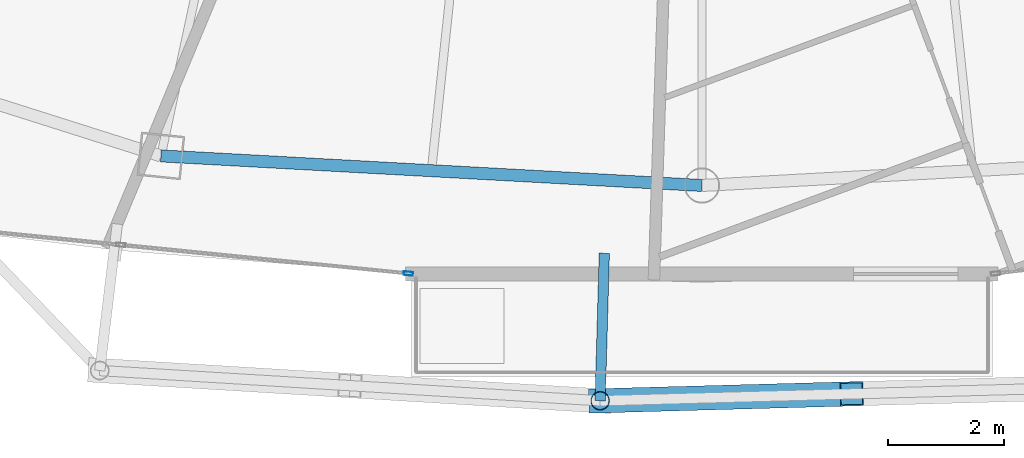
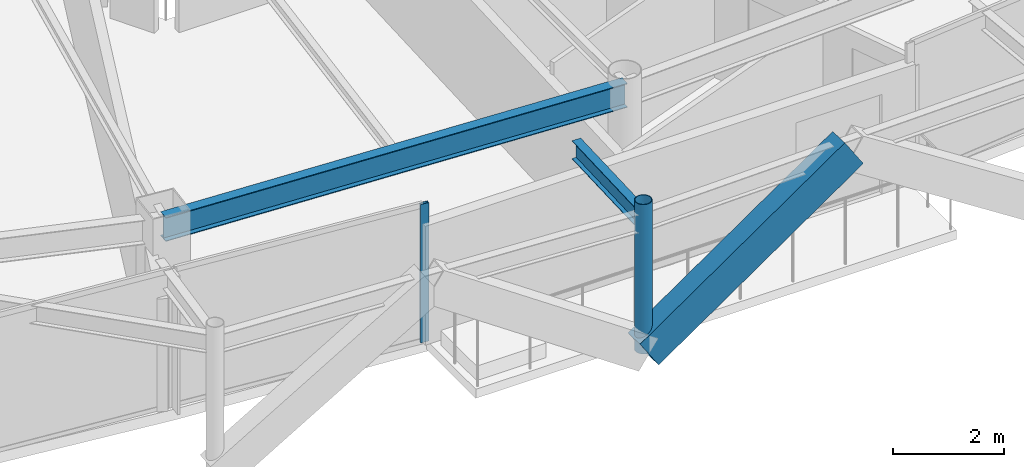
# One storey, part 7 of 30: 3 members, 2 beams, 1 element without a shape of its own.
"""IFC4 building model written with IfcOpenShell, lengths in metres."""

from ifc_helpers import new_model, si_unit, direction, frame, origin, origin_2d, place, context, subcontext, project, spatial, hollow_rectangle, hollow_circle, i_section, extrude, material, layer, layer_set, material_profile, profile_set, type_object, element, aggregate, save


model = new_model("IFC4")

# Units and contexts
model_context = context("Model", 3, precision=1e-05, world=origin(), true_north=direction((0.0, 1.0)))
body_context = subcontext(model_context, "Body", "Model", "MODEL_VIEW")
ifc_project = project(units=[si_unit("LENGTHUNIT", "METRE"), si_unit("AREAUNIT", "SQUARE_METRE"), si_unit("VOLUMEUNIT", "CUBIC_METRE"), si_unit("PLANEANGLEUNIT", "RADIAN"), si_unit("MASSUNIT", "GRAM", prefix="KILO")], contexts=[model_context])

# Site, building, storey
site_placement = place(None, origin())
site = spatial("IfcSite", under=ifc_project, at=site_placement, CompositionType="ELEMENT")
building_placement = place(site_placement, origin())
building = spatial("IfcBuilding", under=site, at=building_placement, Name="Orvanel Arch Residences", CompositionType="ELEMENT")
storey_placement = place(building_placement, frame((0.0, 0.0, 240.35009765625)))
storey = spatial("IfcBuildingStorey", under=building, at=storey_placement, Name="L68", CompositionType="ELEMENT", Elevation=240.35009765625)

# Member
ifc_material_1 = material(Name="Structural steel AS/NZS 3678 Grade 350", Category="steel")
ifc_material_profile_1 = material_profile(ifc_material_1, hollow_rectangle(XDim=0.419921875, YDim=0.719970703125, WallThickness=0.02490234375, at=origin_2d()), Name="RHS720x420x25")
ifc_profile_set_1 = profile_set([ifc_material_profile_1], Name="Structural steel AS/NZS 3678 Grade 350")
member_type_1 = type_object("IfcMemberType", Name="BR-720RHS-EXT", PredefinedType="BRACE", material=ifc_profile_set_1)
member_1_placement = place(storey_placement, frame((31.239990234375, 3.123046875, 0.0), z_axis=(0.835449817436, 0.023038801481, 0.549083614919), x_axis=(-0.027566043939, 0.999619984405, 0.0)))
element("IfcMember", 1, at=member_1_placement, inside=storey, type_object=member_type_1, Name="L68 Exterior Sky-Garden V-Frame Chevron F2B2.1", PredefinedType="BRACE", context=body_context, shape_type="SweptSolid", body=[
    extrude(hollow_rectangle(XDim=0.419921875, YDim=0.719970703125, WallThickness=0.02490234375, at=origin_2d()), origin(), (0.0, 0.0, 1.0), 5.203125),
])

# Curtain wall, member
ifc_material_2 = material(Name="Bronze-anodised aluminium AA6063-T6", Category="aluminium")
ifc_layer = layer(ifc_material_2, 0.175048828125)
ifc_layer_set = layer_set([ifc_layer], Name="Bronze-anodised aluminium AA6063-T6")
curtain_wall_type = type_object("IfcCurtainWallType", Name="CW4-HI-SYS", PredefinedType="NOTDEFINED", material=ifc_layer_set)
curtain_wall_placement = place(storey_placement, origin())
curtain_wall = element("IfcCurtainWall", 2, at=curtain_wall_placement, inside=storey, type_object=curtain_wall_type, Name="L68 CW4-HI-SYS Unitised Curtain Wall", PredefinedType="NOTDEFINED")
ifc_material_profile_2 = material_profile(ifc_material_2, hollow_rectangle(XDim=0.06494140625, YDim=0.159912109375, WallThickness=0.00390625, at=origin_2d()), Name="ALU160x65x4")
ifc_profile_set_2 = profile_set([ifc_material_profile_2], Name="Bronze-anodised aluminium AA6063-T6")
member_type_2 = type_object("IfcMemberType", Name="MUL-160x65", PredefinedType="MULLION", material=ifc_profile_set_2)
member_2_placement = place(storey_placement, frame((27.92578125, 5.3212890625, 0.0), z_axis=(0.0, 0.0, 1.0), x_axis=(0.099356011792, 0.99505194986, 0.0)))
member_2 = element("IfcMember", 3, at=member_2_placement, type_object=member_type_2, Name="CW-S4 mullion 3", PredefinedType="MULLION", context=body_context, shape_type="SweptSolid", body=[
    extrude(hollow_rectangle(XDim=0.06494140625, YDim=0.159912109375, WallThickness=0.00390625, at=origin_2d()), origin(), (0.0, 0.0, 1.0), 3.059814453125),
])
aggregate(curtain_wall, [member_2])

# Beams
ifc_material_3 = material(Name="Structural steel AS/NZS 3679.1 Grade 300 (300 MPa)", Category="steel")
ifc_material_profile_3 = material_profile(ifc_material_3, i_section(OverallWidth=0.177978515625, OverallDepth=0.406005859375, WebThickness=0.0078125, FlangeThickness=0.0126953125, at=origin_2d()), Name="410UB59.7")
ifc_profile_set_3 = profile_set([ifc_material_profile_3], Name="Structural steel AS/NZS 3679.1 Grade 300 (300 MPa)")
beam_type_1 = type_object("IfcBeamType", Name="OB-410UB-EXT", PredefinedType="SPANDREL", material=ifc_profile_set_3)
beam_1_placement = place(storey_placement, frame((31.31201171875, 5.672119140625, 2.85693359375), z_axis=(-0.028242727986, -0.999601094595, 0.0), x_axis=(0.999601094595, -0.028242727986, 0.0)))
element("IfcBeam", 4, at=beam_1_placement, inside=storey, type_object=beam_type_1, Name="L68 Outer Frame Radial Tie Beam 06", PredefinedType="SPANDREL", context=body_context, shape_type="SweptSolid", body=[
    extrude(i_section(OverallWidth=0.177978515625, OverallDepth=0.406005859375, WebThickness=0.0078125, FlangeThickness=0.0126953125, at=origin_2d()), origin(), (0.0, 0.0, 1.0), 2.550048828125),
])
ifc_material_profile_4 = material_profile(ifc_material_3, i_section(OverallWidth=0.208984375, OverallDepth=0.532958984375, WebThickness=0.01025390625, FlangeThickness=0.015625, at=origin_2d()), Name="530UB92.4")
ifc_profile_set_4 = profile_set([ifc_material_profile_4], Name="Structural steel AS/NZS 3679.1 Grade 300 (300 MPa)")
beam_type_2 = type_object("IfcBeamType", Name="SP-530UB", PredefinedType="SPANDREL", material=ifc_profile_set_4)
beam_2_placement = place(storey_placement, frame((23.64892578125, 7.35498046875, 2.79296875), z_axis=(0.998510315598, -0.054563262768, 0.0), x_axis=(0.054563262768, 0.998510315598, 0.0)))
element("IfcBeam", 5, at=beam_2_placement, inside=storey, type_object=beam_type_2, Name="L68 Perimeter Spandrel Beam 03", PredefinedType="SPANDREL", context=body_context, shape_type="SweptSolid", body=[
    extrude(i_section(OverallWidth=0.208984375, OverallDepth=0.532958984375, WebThickness=0.01025390625, FlangeThickness=0.015625, at=origin_2d()), origin(), (0.0, 0.0, 1.0), 9.364990234375),
])

# Member
ifc_material_4 = material(Name="Structural steel AS/NZS 1163 C350L0 (Grade 350)", Category="steel")
ifc_material_profile_5 = material_profile(ifc_material_4, hollow_circle(Radius=0.162109375, WallThickness=0.0126953125, at=origin_2d()), Name="CHS324x12.7")
ifc_profile_set_5 = profile_set([ifc_material_profile_5], Name="Structural steel AS/NZS 1163 C350L0 (Grade 350)")
member_type_3 = type_object("IfcMemberType", Name="ST-324CHS-EXT", PredefinedType="STRUT", material=ifc_profile_set_5)
member_3_placement = place(storey_placement, frame((31.239990234375, 3.123046875, 0.0), z_axis=(0.0, 0.0, 1.0), x_axis=(1.0, 0.0, 0.0)))
element("IfcMember", 6, at=member_3_placement, inside=storey, type_object=member_type_3, Name="L68 Outer Perimeter Frame Post 06", PredefinedType="STRUT", context=body_context, shape_type="SweptSolid", body=[
    extrude(hollow_circle(Radius=0.162109375, WallThickness=0.0126953125, at=origin_2d()), origin(), (0.0, 0.0, 1.0), 3.2998046875),
])

save(model, "model.ifc")
